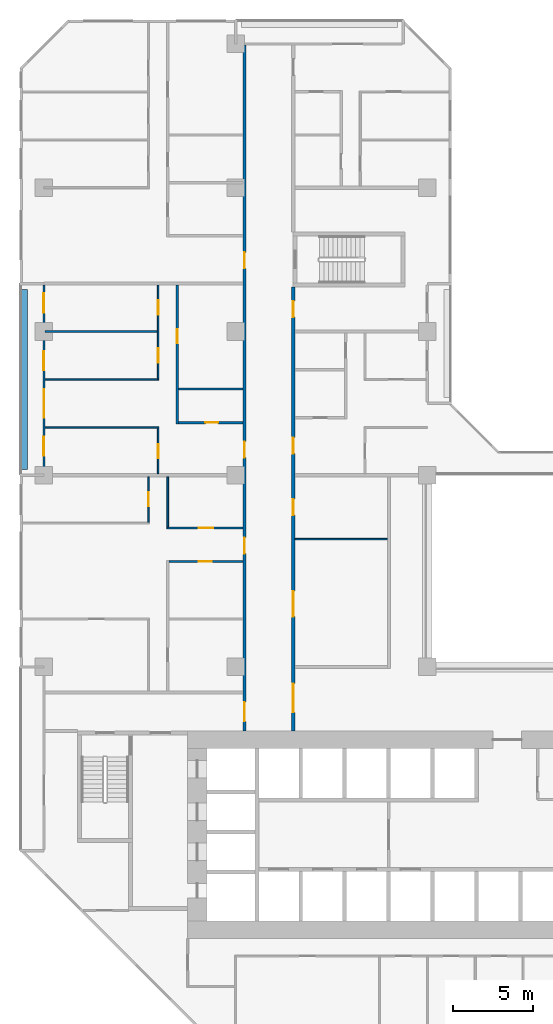
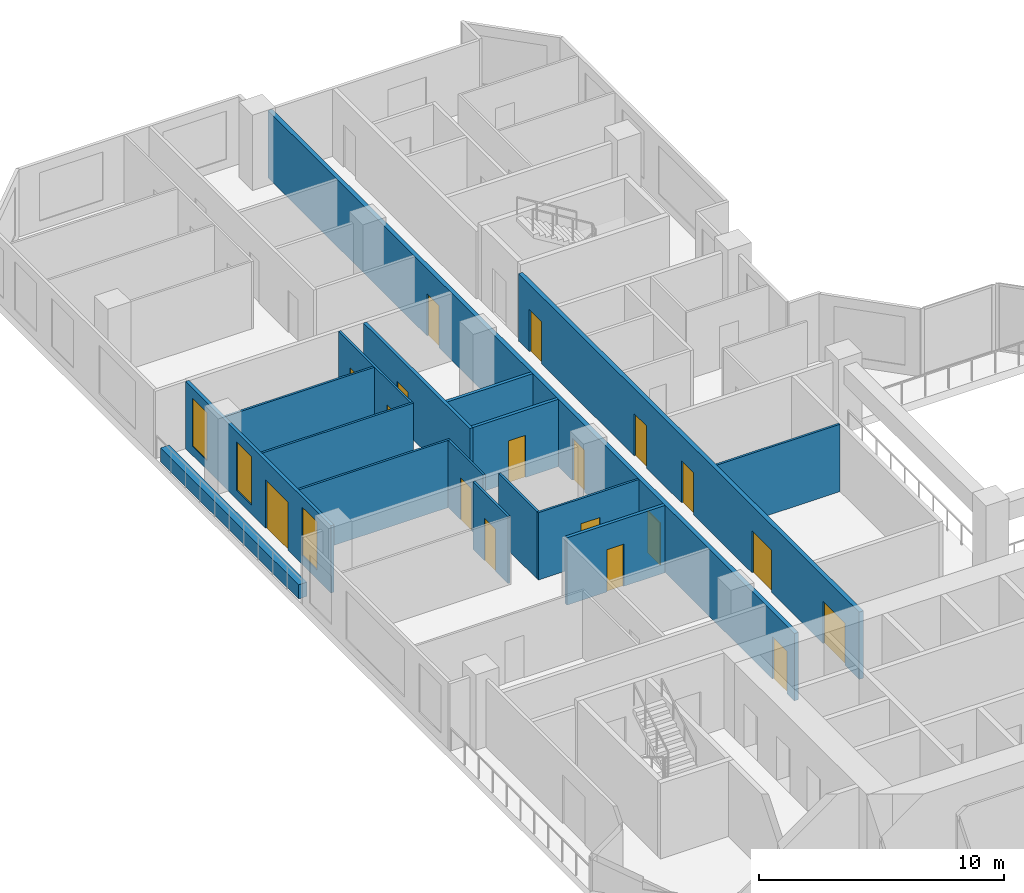
# One storey, part 9 of 16: 18 doors, 17 walls, 3 windows, 21 openings.
"""IFC4 building model written with IfcOpenShell, lengths in metres."""

from ifc_helpers import new_model, si_unit, direction, frame, frame_2d, origin, place, context, subcontext, project, spatial, rectangle, extrude, material, layer, layer_set, type_object, element, fill, save


model = new_model("IFC4")

# Units and contexts
model_context = context("Model", 3, precision=1e-05, world=origin(), true_north=direction((0.0, 1.0)))
body_context = subcontext(model_context, "Body", "Model", "MODEL_VIEW")
ifc_project = project(units=[si_unit("LENGTHUNIT", "METRE"), si_unit("AREAUNIT", "SQUARE_METRE"), si_unit("VOLUMEUNIT", "CUBIC_METRE"), si_unit("PLANEANGLEUNIT", "RADIAN"), si_unit("MASSUNIT", "GRAM", prefix="KILO")], contexts=[model_context])

# Site, building, storey
site_placement = place(None, origin())
site = spatial("IfcSite", under=ifc_project, at=site_placement, CompositionType="ELEMENT")
building_placement = place(site_placement, origin())
building = spatial("IfcBuilding", under=site, at=building_placement, Name="Chenar Terraces", CompositionType="ELEMENT")
storey_placement = place(building_placement, frame((0.0, 0.0, 75.14990234375)))
storey = spatial("IfcBuildingStorey", under=building, at=storey_placement, Name="L16", CompositionType="ELEMENT", Elevation=75.14990234375)

# Wall, openings, doors
ifc_material_1 = material(Name="Gypsum board on steel studs with fire boards", Category="steel")
ifc_layer_1 = layer(ifc_material_1, 0.199951171875)
ifc_layer_set_1 = layer_set([ifc_layer_1], Name="Gypsum board on steel studs with fire boards")
wall_type_1 = type_object("IfcWallType", Name="Corridor wall 200", PredefinedType="PARTITIONING", material=ifc_layer_set_1)
wall_1_placement = place(storey_placement, frame((12.550048828125, 20.0, 0.0), z_axis=(0.0, 0.0, 1.0), x_axis=(0.0, 1.0, 0.0)))
wall_1 = element("IfcWall", 1, at=wall_1_placement, inside=storey, type_object=wall_type_1, Name="Partition L16-035", PredefinedType="PARTITIONING", context=body_context, shape_type="SweptSolid", body=[
    extrude(rectangle(XDim=42.926025390625, YDim=0.199951171875, at=frame_2d((21.462890625, 0.0))), origin(), (0.0, 0.0, 1.0), 3.35009765625),
])
opening_1_placement = place(wall_1_placement, frame((17.10009765625, 0.0, 0.0)))
opening_1 = element("IfcOpeningElement", 2, at=opening_1_placement, cuts=wall_1, Name="Opening DL16-44", PredefinedType="OPENING", context=body_context, shape_type="SweptSolid", body=[
    extrude(rectangle(XDim=1.0, YDim=2.10009765625, at=frame_2d((0.5, 1.050048828125))), frame((0.0, 0.10986328125, 0.0), z_axis=(0.0, -1.0, 0.0), x_axis=(1.0, 0.0, 0.0)), (0.0, 0.0, 1.0), 0.219970703125),
])
opening_2_placement = place(wall_1_placement, frame((28.949951171875, 0.0, 0.0)))
opening_2 = element("IfcOpeningElement", 3, at=opening_2_placement, cuts=wall_1, Name="Opening DL16-50", PredefinedType="OPENING", context=body_context, shape_type="SweptSolid", body=[
    extrude(rectangle(XDim=1.0, YDim=2.10009765625, at=frame_2d((0.5, 1.050048828125))), frame((0.0, 0.10986328125, 0.0), z_axis=(0.0, -1.0, 0.0), x_axis=(1.0, 0.0, 0.0)), (0.0, 0.0, 1.0), 0.219970703125),
])
opening_3_placement = place(wall_1_placement, frame((0.60009765625, 0.0, 0.0)))
opening_3 = element("IfcOpeningElement", 4, at=opening_3_placement, cuts=wall_1, Name="Opening DL16-54", PredefinedType="OPENING", context=body_context, shape_type="SweptSolid", body=[
    extrude(rectangle(XDim=1.199951171875, YDim=2.10009765625, at=frame_2d((0.60009765625, 1.050048828125))), frame((0.0, 0.10986328125, 0.0), z_axis=(0.0, -1.0, 0.0), x_axis=(1.0, 0.0, 0.0)), (0.0, 0.0, 1.0), 0.219970703125),
])
opening_4_placement = place(wall_1_placement, frame((11.10009765625, 0.0, 0.0)))
opening_4 = element("IfcOpeningElement", 5, at=opening_4_placement, cuts=wall_1, Name="Opening DL16-75", PredefinedType="OPENING", context=body_context, shape_type="SweptSolid", body=[
    extrude(rectangle(XDim=1.0, YDim=2.10009765625, at=frame_2d((0.5, 1.050048828125))), frame((0.0, 0.10986328125, 0.0), z_axis=(0.0, -1.0, 0.0), x_axis=(1.0, 0.0, 0.0)), (0.0, 0.0, 1.0), 0.219970703125),
])
ifc_material_2 = material(Name="Steel-framed fire-resisting door leaf", Category="steel")
door_type_1 = type_object("IfcDoorType", Name="Fire door FD30S 1000 x 2100", OperationType="SINGLE_SWING_LEFT", PredefinedType="DOOR", material=ifc_material_2)
door_1_placement = place(opening_1_placement, origin())
door_1 = element("IfcDoor", 6, at=door_1_placement, inside=storey, type_object=door_type_1, Name="Door DL16-44", OperationType="SINGLE_SWING_LEFT", OverallHeight=2.10009765625, OverallWidth=1.0, PredefinedType="DOOR", context=body_context, shape_type="SweptSolid", body=[
    extrude(rectangle(XDim=1.0, YDim=2.10009765625, at=frame_2d((0.5, 1.050048828125))), frame((0.0, 0.02490234375, 0.0), z_axis=(0.0, -1.0, 0.0), x_axis=(1.0, 0.0, 0.0)), (0.0, 0.0, 1.0), 0.050048828125),
])
fill(opening_1, door_1)
door_2_placement = place(opening_2_placement, origin())
door_2 = element("IfcDoor", 7, at=door_2_placement, inside=storey, type_object=door_type_1, Name="Door DL16-50", OperationType="SINGLE_SWING_LEFT", OverallHeight=2.10009765625, OverallWidth=1.0, PredefinedType="DOOR", context=body_context, shape_type="SweptSolid", body=[
    extrude(rectangle(XDim=1.0, YDim=2.10009765625, at=frame_2d((0.5, 1.050048828125))), frame((0.0, 0.02490234375, 0.0), z_axis=(0.0, -1.0, 0.0), x_axis=(1.0, 0.0, 0.0)), (0.0, 0.0, 1.0), 0.050048828125),
])
fill(opening_2, door_2)
door_3_placement = place(opening_4_placement, origin())
door_3 = element("IfcDoor", 8, at=door_3_placement, inside=storey, type_object=door_type_1, Name="Door DL16-75", OperationType="SINGLE_SWING_LEFT", OverallHeight=2.10009765625, OverallWidth=1.0, PredefinedType="DOOR", context=body_context, shape_type="SweptSolid", body=[
    extrude(rectangle(XDim=1.0, YDim=2.10009765625, at=frame_2d((0.5, 1.050048828125))), frame((0.0, 0.02490234375, 0.0), z_axis=(0.0, -1.0, 0.0), x_axis=(1.0, 0.0, 0.0)), (0.0, 0.0, 1.0), 0.050048828125),
])
fill(opening_4, door_3)
ifc_material_3 = material(Name="Steel-framed fire-resisting door leaf", Category="steel")
door_type_2 = type_object("IfcDoorType", Name="Fire door FD30S 1200 x 2100", OperationType="SINGLE_SWING_LEFT", PredefinedType="DOOR", material=ifc_material_3)
door_4_placement = place(opening_3_placement, origin())
door_4 = element("IfcDoor", 9, at=door_4_placement, inside=storey, type_object=door_type_2, Name="Door DL16-54", OperationType="SINGLE_SWING_RIGHT", OverallHeight=2.10009765625, OverallWidth=1.199951171875, PredefinedType="DOOR", context=body_context, shape_type="SweptSolid", body=[
    extrude(rectangle(XDim=1.199951171875, YDim=2.10009765625, at=frame_2d((0.60009765625, 1.050048828125))), frame((0.0, 0.02490234375, 0.0), z_axis=(0.0, -1.0, 0.0), x_axis=(1.0, 0.0, 0.0)), (0.0, 0.0, 1.0), 0.050048828125),
])
fill(opening_3, door_4)

wall_2_placement = place(storey_placement, frame((15.60009765625, 20.0, 0.0), z_axis=(0.0, 0.0, 1.0), x_axis=(0.0, 1.0, 0.0)))
wall_2 = element("IfcWall", 10, at=wall_2_placement, inside=storey, type_object=wall_type_1, Name="Partition L16-036", PredefinedType="PARTITIONING", context=body_context, shape_type="SweptSolid", body=[
    extrude(rectangle(XDim=27.77490234375, YDim=0.199951171875, at=frame_2d((13.887451171875, 0.0))), origin(), (0.0, 0.0, 1.0), 3.35009765625),
])
opening_5_placement = place(wall_2_placement, frame((7.14990234375, 0.0, 0.0)))
opening_5 = element("IfcOpeningElement", 11, at=opening_5_placement, cuts=wall_2, Name="Opening DL16-1", PredefinedType="OPENING", context=body_context, shape_type="SweptSolid", body=[
    extrude(rectangle(XDim=1.60009765625, YDim=2.10009765625, at=frame_2d((0.800048828125, 1.050048828125))), frame((0.0, 0.10986328125, 0.0), z_axis=(0.0, -1.0, 0.0), x_axis=(1.0, 0.0, 0.0)), (0.0, 0.0, 1.0), 0.219970703125),
])
opening_6_placement = place(wall_2_placement, frame((13.5, 0.0, 0.0)))
opening_6 = element("IfcOpeningElement", 12, at=opening_6_placement, cuts=wall_2, Name="Opening DL16-2", PredefinedType="OPENING", context=body_context, shape_type="SweptSolid", body=[
    extrude(rectangle(XDim=1.0, YDim=2.10009765625, at=frame_2d((0.5, 1.050048828125))), frame((0.0, 0.10986328125, 0.0), z_axis=(0.0, -1.0, 0.0), x_axis=(1.0, 0.0, 0.0)), (0.0, 0.0, 1.0), 0.219970703125),
])
opening_7_placement = place(wall_2_placement, frame((17.35009765625, 0.0, 0.0)))
opening_7 = element("IfcOpeningElement", 13, at=opening_7_placement, cuts=wall_2, Name="Opening DL16-33", PredefinedType="OPENING", context=body_context, shape_type="SweptSolid", body=[
    extrude(rectangle(XDim=1.0, YDim=2.10009765625, at=frame_2d((0.5, 1.050048828125))), frame((0.0, 0.10986328125, 0.0), z_axis=(0.0, -1.0, 0.0), x_axis=(1.0, 0.0, 0.0)), (0.0, 0.0, 1.0), 0.219970703125),
])
opening_8_placement = place(wall_2_placement, frame((1.14990234375, 0.0, 0.0)))
opening_8 = element("IfcOpeningElement", 14, at=opening_8_placement, cuts=wall_2, Name="Opening DL16-53", PredefinedType="OPENING", context=body_context, shape_type="SweptSolid", body=[
    extrude(rectangle(XDim=1.800048828125, YDim=2.10009765625, at=frame_2d((0.89990234375, 1.050048828125))), frame((0.0, 0.10986328125, 0.0), z_axis=(0.0, -1.0, 0.0), x_axis=(1.0, 0.0, 0.0)), (0.0, 0.0, 1.0), 0.219970703125),
])
opening_9_placement = place(wall_2_placement, frame((25.89990234375, 0.0, 0.0)))
opening_9 = element("IfcOpeningElement", 15, at=opening_9_placement, cuts=wall_2, Name="Opening DL16-56", PredefinedType="OPENING", context=body_context, shape_type="SweptSolid", body=[
    extrude(rectangle(XDim=1.0, YDim=2.10009765625, at=frame_2d((0.5, 1.050048828125))), frame((0.0, 0.10986328125, 0.0), z_axis=(0.0, -1.0, 0.0), x_axis=(1.0, 0.0, 0.0)), (0.0, 0.0, 1.0), 0.219970703125),
])
ifc_material_4 = material(Name="Steel-framed fire-resisting door leaf", Category="steel")
door_type_3 = type_object("IfcDoorType", Name="Fire door FD60 1000 x 2100", OperationType="SINGLE_SWING_LEFT", PredefinedType="DOOR", material=ifc_material_4)
door_5_placement = place(opening_6_placement, frame((1.0, 0.0, 0.0), z_axis=(0.0, 0.0, 1.0), x_axis=(-1.0, 0.0, 0.0)))
door_5 = element("IfcDoor", 16, at=door_5_placement, inside=storey, type_object=door_type_3, Name="Door DL16-2", OperationType="SINGLE_SWING_LEFT", OverallHeight=2.10009765625, OverallWidth=1.0, PredefinedType="DOOR", context=body_context, shape_type="SweptSolid", body=[
    extrude(rectangle(XDim=1.0, YDim=2.10009765625, at=frame_2d((0.5, 1.050048828125))), frame((0.0, 0.02490234375, 0.0), z_axis=(0.0, -1.0, 0.0), x_axis=(1.0, 0.0, 0.0)), (0.0, 0.0, 1.0), 0.050048828125),
])
fill(opening_6, door_5)
door_6_placement = place(opening_7_placement, frame((1.0, 0.0, 0.0), z_axis=(0.0, 0.0, 1.0), x_axis=(-1.0, 0.0, 0.0)))
door_6 = element("IfcDoor", 17, at=door_6_placement, inside=storey, type_object=door_type_3, Name="Door DL16-33", OperationType="SINGLE_SWING_LEFT", OverallHeight=2.10009765625, OverallWidth=1.0, PredefinedType="DOOR", context=body_context, shape_type="SweptSolid", body=[
    extrude(rectangle(XDim=1.0, YDim=2.10009765625, at=frame_2d((0.5, 1.050048828125))), frame((0.0, 0.02490234375, 0.0), z_axis=(0.0, -1.0, 0.0), x_axis=(1.0, 0.0, 0.0)), (0.0, 0.0, 1.0), 0.050048828125),
])
fill(opening_7, door_6)
door_7_placement = place(opening_9_placement, frame((1.0, 0.0, 0.0), z_axis=(0.0, 0.0, 1.0), x_axis=(-1.0, 0.0, 0.0)))
door_7 = element("IfcDoor", 18, at=door_7_placement, inside=storey, type_object=door_type_3, Name="Door DL16-56", OperationType="SINGLE_SWING_RIGHT", OverallHeight=2.10009765625, OverallWidth=1.0, PredefinedType="DOOR", context=body_context, shape_type="SweptSolid", body=[
    extrude(rectangle(XDim=1.0, YDim=2.10009765625, at=frame_2d((0.5, 1.050048828125))), frame((0.0, 0.02490234375, 0.0), z_axis=(0.0, -1.0, 0.0), x_axis=(1.0, 0.0, 0.0)), (0.0, 0.0, 1.0), 0.050048828125),
])
fill(opening_9, door_7)
ifc_material_5 = material(Name="Steel-framed fire-resisting door leaf", Category="steel")
door_type_4 = type_object("IfcDoorType", Name="Fire double door FD60 1600 x 2100", OperationType="DOUBLE_DOOR_SINGLE_SWING", PredefinedType="DOOR", material=ifc_material_5)
door_8_placement = place(opening_5_placement, frame((1.60009765625, 0.0, 0.0), z_axis=(0.0, 0.0, 1.0), x_axis=(-1.0, 0.0, 0.0)))
door_8 = element("IfcDoor", 19, at=door_8_placement, inside=storey, type_object=door_type_4, Name="Door DL16-1", OperationType="DOUBLE_DOOR_SINGLE_SWING", OverallHeight=2.10009765625, OverallWidth=1.60009765625, PredefinedType="DOOR", context=body_context, shape_type="SweptSolid", body=[
    extrude(rectangle(XDim=1.60009765625, YDim=2.10009765625, at=frame_2d((0.800048828125, 1.050048828125))), frame((0.0, 0.02490234375, 0.0), z_axis=(0.0, -1.0, 0.0), x_axis=(1.0, 0.0, 0.0)), (0.0, 0.0, 1.0), 0.050048828125),
])
fill(opening_5, door_8)
ifc_material_6 = material(Name="Steel-framed fire-resisting door leaf", Category="steel")
door_type_5 = type_object("IfcDoorType", Name="Fire double door FD60 1800 x 2100", OperationType="DOUBLE_DOOR_SINGLE_SWING", PredefinedType="DOOR", material=ifc_material_6)
door_9_placement = place(opening_8_placement, frame((1.800048828125, 0.0, 0.0), z_axis=(0.0, 0.0, 1.0), x_axis=(-1.0, 0.0, 0.0)))
door_9 = element("IfcDoor", 20, at=door_9_placement, inside=storey, type_object=door_type_5, Name="Door DL16-53", OperationType="DOUBLE_DOOR_SINGLE_SWING", OverallHeight=2.10009765625, OverallWidth=1.800048828125, PredefinedType="DOOR", context=body_context, shape_type="SweptSolid", body=[
    extrude(rectangle(XDim=1.800048828125, YDim=2.10009765625, at=frame_2d((0.89990234375, 1.050048828125))), frame((0.0, 0.02490234375, 0.0), z_axis=(0.0, -1.0, 0.0), x_axis=(1.0, 0.0, 0.0)), (0.0, 0.0, 1.0), 0.050048828125),
])
fill(opening_8, door_9)

# Wall, openings, windows, door
ifc_material_7 = material(Name="Aluminium framed glazing", Category="aluminium")
ifc_layer_2 = layer(ifc_material_7, 0.14990234375)
ifc_layer_set_2 = layer_set([ifc_layer_2], Name="Aluminium framed glazing")
wall_type_2 = type_object("IfcWallType", Name="Glazed loggia back wall 150", PredefinedType="SOLIDWALL", material=ifc_layer_set_2)
wall_3_placement = place(storey_placement, frame((0.0, 47.925048828125, 0.0), z_axis=(0.0, 0.0, 1.0), x_axis=(0.0, -1.0, 0.0)))
wall_3 = element("IfcWall", 21, at=wall_3_placement, inside=storey, type_object=wall_type_2, Name="Glazed loggia back wall", PredefinedType="SOLIDWALL", context=body_context, shape_type="SweptSolid", body=[
    extrude(rectangle(XDim=11.85009765625, YDim=0.14990234375, at=frame_2d((5.925048828125, 0.0))), origin(), (0.0, 0.0, 1.0), 3.35009765625),
])
opening_10_placement = place(wall_3_placement, frame((0.53759765625, 0.0, 0.449951171875)))
opening_10 = element("IfcOpeningElement", 22, at=opening_10_placement, cuts=wall_3, Name="Opening W120x240", PredefinedType="OPENING", context=body_context, shape_type="SweptSolid", body=[
    extrude(rectangle(XDim=1.199951171875, YDim=2.39990234375, at=frame_2d((0.60009765625, 1.199951171875))), frame((0.0, 0.0849609375, 0.0), z_axis=(0.0, -1.0, 0.0), x_axis=(1.0, 0.0, 0.0)), (0.0, 0.0, 1.0), 0.169921875),
])
opening_11_placement = place(wall_3_placement, frame((4.14990234375, 0.0, 0.449951171875)))
opening_11 = element("IfcOpeningElement", 23, at=opening_11_placement, cuts=wall_3, Name="Opening W120x240", PredefinedType="OPENING", context=body_context, shape_type="SweptSolid", body=[
    extrude(rectangle(XDim=1.199951171875, YDim=2.39990234375, at=frame_2d((0.60009765625, 1.199951171875))), frame((0.0, 0.0849609375, 0.0), z_axis=(0.0, -1.0, 0.0), x_axis=(1.0, 0.0, 0.0)), (0.0, 0.0, 1.0), 0.169921875),
])
opening_12_placement = place(wall_3_placement, frame((6.52490234375, 0.0, 0.0)))
opening_12 = element("IfcOpeningElement", 24, at=opening_12_placement, cuts=wall_3, Name="Opening DL16-G3", PredefinedType="OPENING", context=body_context, shape_type="SweptSolid", body=[
    extrude(rectangle(XDim=1.800048828125, YDim=2.39990234375, at=frame_2d((0.89990234375, 1.199951171875))), frame((0.0, 0.0849609375, 0.0), z_axis=(0.0, -1.0, 0.0), x_axis=(1.0, 0.0, 0.0)), (0.0, 0.0, 1.0), 0.169921875),
])
opening_13_placement = place(wall_3_placement, frame((9.5, 0.0, 0.449951171875)))
opening_13 = element("IfcOpeningElement", 25, at=opening_13_placement, cuts=wall_3, Name="Opening W120x240", PredefinedType="OPENING", context=body_context, shape_type="SweptSolid", body=[
    extrude(rectangle(XDim=1.199951171875, YDim=2.39990234375, at=frame_2d((0.60009765625, 1.199951171875))), frame((0.0, 0.0849609375, 0.0), z_axis=(0.0, -1.0, 0.0), x_axis=(1.0, 0.0, 0.0)), (0.0, 0.0, 1.0), 0.169921875),
])
ifc_material_8 = material(Name="Low emissivity double glazing, aluminium frame", Category="aluminium")
window_type = type_object("IfcWindowType", Name="Fixed light 1200 x 2400", PartitioningType="SINGLE_PANEL", PredefinedType="WINDOW", material=ifc_material_8)
window_1_placement = place(opening_10_placement, origin())
window_1 = element("IfcWindow", 26, at=window_1_placement, inside=storey, type_object=window_type, Name="Window", OverallHeight=2.39990234375, OverallWidth=1.199951171875, PartitioningType="SINGLE_PANEL", PredefinedType="WINDOW", context=body_context, shape_type="SweptSolid", body=[
    extrude(rectangle(XDim=1.199951171875, YDim=2.39990234375, at=frame_2d((0.60009765625, 1.199951171875))), frame((0.0, 0.030029296875, 0.0), z_axis=(0.0, -1.0, 0.0), x_axis=(1.0, 0.0, 0.0)), (0.0, 0.0, 1.0), 0.06005859375),
])
fill(opening_10, window_1)
window_2_placement = place(opening_11_placement, origin())
window_2 = element("IfcWindow", 27, at=window_2_placement, inside=storey, type_object=window_type, Name="Window", OverallHeight=2.39990234375, OverallWidth=1.199951171875, PartitioningType="SINGLE_PANEL", PredefinedType="WINDOW", context=body_context, shape_type="SweptSolid", body=[
    extrude(rectangle(XDim=1.199951171875, YDim=2.39990234375, at=frame_2d((0.60009765625, 1.199951171875))), frame((0.0, 0.030029296875, 0.0), z_axis=(0.0, -1.0, 0.0), x_axis=(1.0, 0.0, 0.0)), (0.0, 0.0, 1.0), 0.06005859375),
])
fill(opening_11, window_2)
window_3_placement = place(opening_13_placement, origin())
window_3 = element("IfcWindow", 28, at=window_3_placement, inside=storey, type_object=window_type, Name="Window", OverallHeight=2.39990234375, OverallWidth=1.199951171875, PartitioningType="SINGLE_PANEL", PredefinedType="WINDOW", context=body_context, shape_type="SweptSolid", body=[
    extrude(rectangle(XDim=1.199951171875, YDim=2.39990234375, at=frame_2d((0.60009765625, 1.199951171875))), frame((0.0, 0.030029296875, 0.0), z_axis=(0.0, -1.0, 0.0), x_axis=(1.0, 0.0, 0.0)), (0.0, 0.0, 1.0), 0.06005859375),
])
fill(opening_13, window_3)
ifc_material_9 = material(Name="Low emissivity double glazing, aluminium frame", Category="aluminium")
door_type_6 = type_object("IfcDoorType", Name="Loggia glazed double door 1800 x 2400", OperationType="DOUBLE_DOOR_SINGLE_SWING", PredefinedType="DOOR", material=ifc_material_9)
door_10_placement = place(opening_12_placement, frame((1.800048828125, 0.0, 0.0), z_axis=(0.0, 0.0, 1.0), x_axis=(-1.0, 0.0, 0.0)))
door_10 = element("IfcDoor", 29, at=door_10_placement, inside=storey, type_object=door_type_6, Name="Loggia glazed door", OperationType="DOUBLE_DOOR_SINGLE_SWING", OverallHeight=2.39990234375, OverallWidth=1.800048828125, PredefinedType="DOOR", context=body_context, shape_type="SweptSolid", body=[
    extrude(rectangle(XDim=1.800048828125, YDim=2.39990234375, at=frame_2d((0.89990234375, 1.199951171875))), frame((0.0, 0.02490234375, 0.0), z_axis=(0.0, -1.0, 0.0), x_axis=(1.0, 0.0, 0.0)), (0.0, 0.0, 1.0), 0.050048828125),
])
fill(opening_12, door_10)

# Walls
ifc_material_10 = material(Name="Gypsum board on steel studs", Category="steel")
ifc_layer_3 = layer(ifc_material_10, 0.10009765625)
ifc_layer_set_3 = layer_set([ifc_layer_3], Name="Gypsum board on steel studs")
wall_type_3 = type_object("IfcWallType", Name="Gypsum partition 100", PredefinedType="PARTITIONING", material=ifc_layer_set_3)
for number, where, z_axis, x_axis, name in (
    (30, (0.073974609375, 39.0, 0.0), (0.0, 0.0, 1.0), (1.0, 0.0, 0.0), "Partition L16-010"),
    (31, (0.073974609375, 42.0, 0.0), (0.0, 0.0, 1.0), (1.0, 0.0, 0.0), "Partition L16-011"),
):
    element("IfcWall", number, at=place(storey_placement, frame(where, z_axis=z_axis, x_axis=x_axis)), inside=storey, type_object=wall_type_3, Name=name, PredefinedType="PARTITIONING", context=body_context, shape_type="SweptSolid", body=[
        extrude(rectangle(XDim=7.1259765625, YDim=0.10009765625, at=frame_2d((3.56298828125, 0.0))), origin(), (0.0, 0.0, 1.0), 3.35009765625),
    ])
wall_4_placement = place(storey_placement, frame((0.073974609375, 45.0, 0.0), z_axis=(0.0, 0.0, 1.0), x_axis=(1.0, 0.0, 0.0)))
element("IfcWall", 32, at=wall_4_placement, inside=storey, type_object=wall_type_3, Name="Partition L16-012", PredefinedType="PARTITIONING", context=body_context, shape_type="SweptSolid", body=[
    extrude(rectangle(XDim=7.026123046875, YDim=0.10009765625, at=frame_2d((3.51318359375, 0.0))), origin(), (0.0, 0.0, 1.0), 3.35009765625),
])

# Wall, opening, door
wall_5_placement = place(storey_placement, frame((6.550048828125, 33.050048828125, 0.0), z_axis=(0.0, 0.0, 1.0), x_axis=(0.0, 1.0, 0.0)))
wall_5 = element("IfcWall", 33, at=wall_5_placement, inside=storey, type_object=wall_type_3, Name="Partition L16-015", PredefinedType="PARTITIONING", context=body_context, shape_type="SweptSolid", body=[
    extrude(rectangle(XDim=2.849853515625, YDim=0.10009765625, at=frame_2d((1.4248046875, 0.0))), origin(), (0.0, 0.0, 1.0), 3.35009765625),
])
opening_14_placement = place(wall_5_placement, frame((1.0, 0.0, 0.0)))
opening_14 = element("IfcOpeningElement", 34, at=opening_14_placement, cuts=wall_5, Name="Opening DL16-72", PredefinedType="OPENING", context=body_context, shape_type="SweptSolid", body=[
    extrude(rectangle(XDim=0.89990234375, YDim=2.10009765625, at=frame_2d((0.449951171875, 1.050048828125))), frame((0.0, 0.06005859375, 0.0), z_axis=(0.0, -1.0, 0.0), x_axis=(1.0, 0.0, 0.0)), (0.0, 0.0, 1.0), 0.1201171875),
])
ifc_material_11 = material(Name="Veneered timber door leaf", Category="wood")
door_type_7 = type_object("IfcDoorType", Name="Door 900 x 2100", OperationType="SINGLE_SWING_LEFT", PredefinedType="DOOR", material=ifc_material_11)
door_11_placement = place(opening_14_placement, origin())
door_11 = element("IfcDoor", 35, at=door_11_placement, inside=storey, type_object=door_type_7, Name="Door DL16-72", OperationType="SINGLE_SWING_RIGHT", OverallHeight=2.10009765625, OverallWidth=0.89990234375, PredefinedType="DOOR", context=body_context, shape_type="SweptSolid", body=[
    extrude(rectangle(XDim=0.89990234375, YDim=2.10009765625, at=frame_2d((0.449951171875, 1.050048828125))), frame((0.0, 0.02490234375, 0.0), z_axis=(0.0, -1.0, 0.0), x_axis=(1.0, 0.0, 0.0)), (0.0, 0.0, 1.0), 0.050048828125),
])
fill(opening_14, door_11)

wall_6_placement = place(storey_placement, frame((7.14990234375, 36.10009765625, 0.0), z_axis=(0.0, 0.0, 1.0), x_axis=(0.0, 1.0, 0.0)))
wall_6 = element("IfcWall", 36, at=wall_6_placement, inside=storey, type_object=wall_type_3, Name="Partition L16-017", PredefinedType="PARTITIONING", context=body_context, shape_type="SweptSolid", body=[
    extrude(rectangle(XDim=2.849853515625, YDim=0.10009765625, at=frame_2d((1.4248046875, 0.0))), origin(), (0.0, 0.0, 1.0), 3.35009765625),
])
opening_15_placement = place(wall_6_placement, frame((0.949951171875, 0.0, 0.0)))
opening_15 = element("IfcOpeningElement", 37, at=opening_15_placement, cuts=wall_6, Name="Opening DL16-40", PredefinedType="OPENING", context=body_context, shape_type="SweptSolid", body=[
    extrude(rectangle(XDim=0.89990234375, YDim=2.10009765625, at=frame_2d((0.449951171875, 1.050048828125))), frame((0.0, 0.06005859375, 0.0), z_axis=(0.0, -1.0, 0.0), x_axis=(1.0, 0.0, 0.0)), (0.0, 0.0, 1.0), 0.1201171875),
])
door_12_placement = place(opening_15_placement, origin())
door_12 = element("IfcDoor", 38, at=door_12_placement, inside=storey, type_object=door_type_7, Name="Door DL16-40", OperationType="SINGLE_SWING_RIGHT", OverallHeight=2.10009765625, OverallWidth=0.89990234375, PredefinedType="DOOR", context=body_context, shape_type="SweptSolid", body=[
    extrude(rectangle(XDim=0.89990234375, YDim=2.10009765625, at=frame_2d((0.449951171875, 1.050048828125))), frame((0.0, 0.02490234375, 0.0), z_axis=(0.0, -1.0, 0.0), x_axis=(1.0, 0.0, 0.0)), (0.0, 0.0, 1.0), 0.050048828125),
])
fill(opening_15, door_12)

# Wall, openings, doors
wall_7_placement = place(storey_placement, frame((7.14990234375, 42.050048828125, 0.0), z_axis=(0.0, 0.0, 1.0), x_axis=(0.0, 1.0, 0.0)))
wall_7 = element("IfcWall", 39, at=wall_7_placement, inside=storey, type_object=wall_type_3, Name="Partition L16-018", PredefinedType="PARTITIONING", context=body_context, shape_type="SweptSolid", body=[
    extrude(rectangle(XDim=5.849853515625, YDim=0.10009765625, at=frame_2d((2.9248046875, 0.0))), origin(), (0.0, 0.0, 1.0), 3.35009765625),
])
opening_16_placement = place(wall_7_placement, frame((1.0, 0.0, 0.0)))
opening_16 = element("IfcOpeningElement", 40, at=opening_16_placement, cuts=wall_7, Name="Opening DL16-41", PredefinedType="OPENING", context=body_context, shape_type="SweptSolid", body=[
    extrude(rectangle(XDim=0.89990234375, YDim=2.10009765625, at=frame_2d((0.449951171875, 1.050048828125))), frame((0.0, 0.06005859375, 0.0), z_axis=(0.0, -1.0, 0.0), x_axis=(1.0, 0.0, 0.0)), (0.0, 0.0, 1.0), 0.1201171875),
])
opening_17_placement = place(wall_7_placement, frame((4.0, 0.0, 0.0)))
opening_17 = element("IfcOpeningElement", 41, at=opening_17_placement, cuts=wall_7, Name="Opening DL16-42", PredefinedType="OPENING", context=body_context, shape_type="SweptSolid", body=[
    extrude(rectangle(XDim=0.89990234375, YDim=2.10009765625, at=frame_2d((0.449951171875, 1.050048828125))), frame((0.0, 0.06005859375, 0.0), z_axis=(0.0, -1.0, 0.0), x_axis=(1.0, 0.0, 0.0)), (0.0, 0.0, 1.0), 0.1201171875),
])
door_13_placement = place(opening_16_placement, origin())
door_13 = element("IfcDoor", 42, at=door_13_placement, inside=storey, type_object=door_type_7, Name="Door DL16-41", OperationType="SINGLE_SWING_RIGHT", OverallHeight=2.10009765625, OverallWidth=0.89990234375, PredefinedType="DOOR", context=body_context, shape_type="SweptSolid", body=[
    extrude(rectangle(XDim=0.89990234375, YDim=2.10009765625, at=frame_2d((0.449951171875, 1.050048828125))), frame((0.0, 0.02490234375, 0.0), z_axis=(0.0, -1.0, 0.0), x_axis=(1.0, 0.0, 0.0)), (0.0, 0.0, 1.0), 0.050048828125),
])
fill(opening_16, door_13)
door_14_placement = place(opening_17_placement, origin())
door_14 = element("IfcDoor", 43, at=door_14_placement, inside=storey, type_object=door_type_7, Name="Door DL16-42", OperationType="SINGLE_SWING_RIGHT", OverallHeight=2.10009765625, OverallWidth=0.89990234375, PredefinedType="DOOR", context=body_context, shape_type="SweptSolid", body=[
    extrude(rectangle(XDim=0.89990234375, YDim=2.10009765625, at=frame_2d((0.449951171875, 1.050048828125))), frame((0.0, 0.02490234375, 0.0), z_axis=(0.0, -1.0, 0.0), x_axis=(1.0, 0.0, 0.0)), (0.0, 0.0, 1.0), 0.050048828125),
])
fill(opening_17, door_14)

# Wall, opening, door
wall_8_placement = place(storey_placement, frame((7.699951171875, 32.699951171875, 0.0), z_axis=(0.0, 0.0, 1.0), x_axis=(1.0, 0.0, 0.0)))
wall_8 = element("IfcWall", 44, at=wall_8_placement, inside=storey, type_object=wall_type_3, Name="Partition L16-019", PredefinedType="PARTITIONING", context=body_context, shape_type="SweptSolid", body=[
    extrude(rectangle(XDim=4.75, YDim=0.10009765625, at=frame_2d((2.375, 0.0))), origin(), (0.0, 0.0, 1.0), 3.35009765625),
])
opening_18_placement = place(wall_8_placement, frame((2.0, 0.0, 0.0)))
opening_18 = element("IfcOpeningElement", 45, at=opening_18_placement, cuts=wall_8, Name="Opening DL16-73", PredefinedType="OPENING", context=body_context, shape_type="SweptSolid", body=[
    extrude(rectangle(XDim=0.89990234375, YDim=2.10009765625, at=frame_2d((0.449951171875, 1.050048828125))), frame((0.0, 0.06005859375, 0.0), z_axis=(0.0, -1.0, 0.0), x_axis=(1.0, 0.0, 0.0)), (0.0, 0.0, 1.0), 0.1201171875),
])
door_15_placement = place(opening_18_placement, origin())
door_15 = element("IfcDoor", 46, at=door_15_placement, inside=storey, type_object=door_type_7, Name="Door DL16-73", OperationType="SINGLE_SWING_RIGHT", OverallHeight=2.10009765625, OverallWidth=0.89990234375, PredefinedType="DOOR", context=body_context, shape_type="SweptSolid", body=[
    extrude(rectangle(XDim=0.89990234375, YDim=2.10009765625, at=frame_2d((0.449951171875, 1.050048828125))), frame((0.0, 0.02490234375, 0.0), z_axis=(0.0, -1.0, 0.0), x_axis=(1.0, 0.0, 0.0)), (0.0, 0.0, 1.0), 0.050048828125),
])
fill(opening_18, door_15)

# Walls
wall_9_placement = place(storey_placement, frame((7.75, 32.75, 0.0), z_axis=(0.0, 0.0, 1.0), x_axis=(0.0, 1.0, 0.0)))
element("IfcWall", 47, at=wall_9_placement, inside=storey, type_object=wall_type_3, Name="Partition L16-021", PredefinedType="PARTITIONING", context=body_context, shape_type="SweptSolid", body=[
    extrude(rectangle(XDim=3.14990234375, YDim=0.10009765625, at=frame_2d((1.574951171875, 0.0))), origin(), (0.0, 0.0, 1.0), 3.35009765625),
])
wall_10_placement = place(storey_placement, frame((15.699951171875, 32.0, 0.0), z_axis=(0.0, 0.0, 1.0), x_axis=(1.0, 0.0, 0.0)))
element("IfcWall", 48, at=wall_10_placement, inside=storey, type_object=wall_type_3, Name="Partition L16-039", PredefinedType="PARTITIONING", context=body_context, shape_type="SweptSolid", body=[
    extrude(rectangle(XDim=5.800048828125, YDim=0.10009765625, at=frame_2d((2.89990234375, 0.0))), origin(), (0.0, 0.0, 1.0), 3.35009765625),
])
ifc_material_12 = material(Name="GRP planter trough")
ifc_layer_4 = layer(ifc_material_12, 0.39990234375)
ifc_layer_set_4 = layer_set([ifc_layer_4], Name="GRP planter trough")
wall_type_4 = type_object("IfcWallType", Name="Vertical greenery planter 400", PredefinedType="SOLIDWALL", material=ifc_layer_set_4)
wall_11_placement = place(storey_placement, frame((-1.22900390625, 47.625, 0.0), z_axis=(0.0, 0.0, 1.0), x_axis=(0.0, -1.0, 0.0)))
element("IfcWall", 49, at=wall_11_placement, inside=storey, type_object=wall_type_4, Name="Vertical greenery planter", PredefinedType="SOLIDWALL", context=body_context, shape_type="SweptSolid", body=[
    extrude(rectangle(XDim=11.25, YDim=0.39990234375, at=frame_2d((5.625, 0.0))), origin(), (0.0, 0.0, 1.0), 0.7001953125),
])

# Wall, opening, door
ifc_material_13 = material(Name="Moisture-resistant gypsum board on steel studs", Category="steel")
ifc_layer_5 = layer(ifc_material_13, 0.14990234375)
ifc_layer_set_5 = layer_set([ifc_layer_5], Name="Moisture-resistant gypsum board on steel studs")
wall_type_5 = type_object("IfcWallType", Name="Wet-room partition 150", PredefinedType="PARTITIONING", material=ifc_layer_set_5)
wall_12_placement = place(storey_placement, frame((7.824951171875, 30.60009765625, 0.0), z_axis=(0.0, 0.0, 1.0), x_axis=(1.0, 0.0, 0.0)))
wall_12 = element("IfcWall", 50, at=wall_12_placement, inside=storey, type_object=wall_type_5, Name="Partition L16-024", PredefinedType="PARTITIONING", context=body_context, shape_type="SweptSolid", body=[
    extrude(rectangle(XDim=4.625, YDim=0.14990234375, at=frame_2d((2.3125, 0.0))), origin(), (0.0, 0.0, 1.0), 3.35009765625),
])
opening_19_placement = place(wall_12_placement, frame((1.875, 0.0, 0.0)))
opening_19 = element("IfcOpeningElement", 51, at=opening_19_placement, cuts=wall_12, Name="Opening DL16-70", PredefinedType="OPENING", context=body_context, shape_type="SweptSolid", body=[
    extrude(rectangle(XDim=0.800048828125, YDim=2.10009765625, at=frame_2d((0.39990234375, 1.050048828125))), frame((0.0, 0.0849609375, 0.0), z_axis=(0.0, -1.0, 0.0), x_axis=(1.0, 0.0, 0.0)), (0.0, 0.0, 1.0), 0.169921875),
])
ifc_material_14 = material(Name="Veneered timber door leaf", Category="wood")
door_type_8 = type_object("IfcDoorType", Name="Door 800 x 2100", OperationType="SINGLE_SWING_LEFT", PredefinedType="DOOR", material=ifc_material_14)
door_16_placement = place(opening_19_placement, frame((0.800048828125, 0.0, 0.0), z_axis=(0.0, 0.0, 1.0), x_axis=(-1.0, 0.0, 0.0)))
door_16 = element("IfcDoor", 52, at=door_16_placement, inside=storey, type_object=door_type_8, Name="Door DL16-70", OperationType="SINGLE_SWING_RIGHT", OverallHeight=2.10009765625, OverallWidth=0.800048828125, PredefinedType="DOOR", context=body_context, shape_type="SweptSolid", body=[
    extrude(rectangle(XDim=0.800048828125, YDim=2.10009765625, at=frame_2d((0.39990234375, 1.050048828125))), frame((0.0, 0.02490234375, 0.0), z_axis=(0.0, -1.0, 0.0), x_axis=(1.0, 0.0, 0.0)), (0.0, 0.0, 1.0), 0.050048828125),
])
fill(opening_19, door_16)

wall_13_placement = place(storey_placement, frame((8.35009765625, 39.22509765625, 0.0), z_axis=(0.0, 0.0, 1.0), x_axis=(0.0, 1.0, 0.0)))
wall_13 = element("IfcWall", 53, at=wall_13_placement, inside=storey, type_object=wall_type_5, Name="Partition L16-028", PredefinedType="PARTITIONING", context=body_context, shape_type="SweptSolid", body=[
    extrude(rectangle(XDim=8.6748046875, YDim=0.14990234375, at=frame_2d((4.33740234375, 0.0))), origin(), (0.0, 0.0, 1.0), 3.35009765625),
])
opening_20_placement = place(wall_13_placement, frame((5.02490234375, 0.0, 0.0)))
opening_20 = element("IfcOpeningElement", 54, at=opening_20_placement, cuts=wall_13, Name="Opening DL16-43", PredefinedType="OPENING", context=body_context, shape_type="SweptSolid", body=[
    extrude(rectangle(XDim=0.89990234375, YDim=2.10009765625, at=frame_2d((0.449951171875, 1.050048828125))), frame((0.0, 0.0849609375, 0.0), z_axis=(0.0, -1.0, 0.0), x_axis=(1.0, 0.0, 0.0)), (0.0, 0.0, 1.0), 0.169921875),
])
door_17_placement = place(opening_20_placement, frame((0.89990234375, 0.0, 0.0), z_axis=(0.0, 0.0, 1.0), x_axis=(-1.0, 0.0, 0.0)))
door_17 = element("IfcDoor", 55, at=door_17_placement, inside=storey, type_object=door_type_7, Name="Door DL16-43", OperationType="SINGLE_SWING_LEFT", OverallHeight=2.10009765625, OverallWidth=0.89990234375, PredefinedType="DOOR", context=body_context, shape_type="SweptSolid", body=[
    extrude(rectangle(XDim=0.89990234375, YDim=2.10009765625, at=frame_2d((0.449951171875, 1.050048828125))), frame((0.0, 0.02490234375, 0.0), z_axis=(0.0, -1.0, 0.0), x_axis=(1.0, 0.0, 0.0)), (0.0, 0.0, 1.0), 0.050048828125),
])
fill(opening_20, door_17)

wall_14_placement = place(storey_placement, frame((8.425048828125, 39.300048828125, 0.0), z_axis=(0.0, 0.0, 1.0), x_axis=(1.0, 0.0, 0.0)))
wall_14 = element("IfcWall", 56, at=wall_14_placement, inside=storey, type_object=wall_type_5, Name="Partition L16-029", PredefinedType="PARTITIONING", context=body_context, shape_type="SweptSolid", body=[
    extrude(rectangle(XDim=4.02490234375, YDim=0.14990234375, at=frame_2d((2.012451171875, 0.0))), origin(), (0.0, 0.0, 1.0), 3.35009765625),
])
opening_21_placement = place(wall_14_placement, frame((1.675048828125, 0.0, 0.0)))
opening_21 = element("IfcOpeningElement", 57, at=opening_21_placement, cuts=wall_14, Name="Opening DL16-39", PredefinedType="OPENING", context=body_context, shape_type="SweptSolid", body=[
    extrude(rectangle(XDim=0.800048828125, YDim=2.10009765625, at=frame_2d((0.39990234375, 1.050048828125))), frame((0.0, 0.0849609375, 0.0), z_axis=(0.0, -1.0, 0.0), x_axis=(1.0, 0.0, 0.0)), (0.0, 0.0, 1.0), 0.169921875),
])
door_18_placement = place(opening_21_placement, origin())
door_18 = element("IfcDoor", 58, at=door_18_placement, inside=storey, type_object=door_type_8, Name="Door DL16-39", OperationType="SINGLE_SWING_LEFT", OverallHeight=2.10009765625, OverallWidth=0.800048828125, PredefinedType="DOOR", context=body_context, shape_type="SweptSolid", body=[
    extrude(rectangle(XDim=0.800048828125, YDim=2.10009765625, at=frame_2d((0.39990234375, 1.050048828125))), frame((0.0, 0.02490234375, 0.0), z_axis=(0.0, -1.0, 0.0), x_axis=(1.0, 0.0, 0.0)), (0.0, 0.0, 1.0), 0.050048828125),
])
fill(opening_21, door_18)

# Wall
wall_15_placement = place(storey_placement, frame((8.425048828125, 41.39990234375, 0.0), z_axis=(0.0, 0.0, 1.0), x_axis=(1.0, 0.0, 0.0)))
element("IfcWall", 59, at=wall_15_placement, inside=storey, type_object=wall_type_5, Name="Partition L16-030", PredefinedType="PARTITIONING", context=body_context, shape_type="SweptSolid", body=[
    extrude(rectangle(XDim=4.02490234375, YDim=0.14990234375, at=frame_2d((2.012451171875, 0.0))), origin(), (0.0, 0.0, 1.0), 3.35009765625),
])

save(model, "model.ifc")
